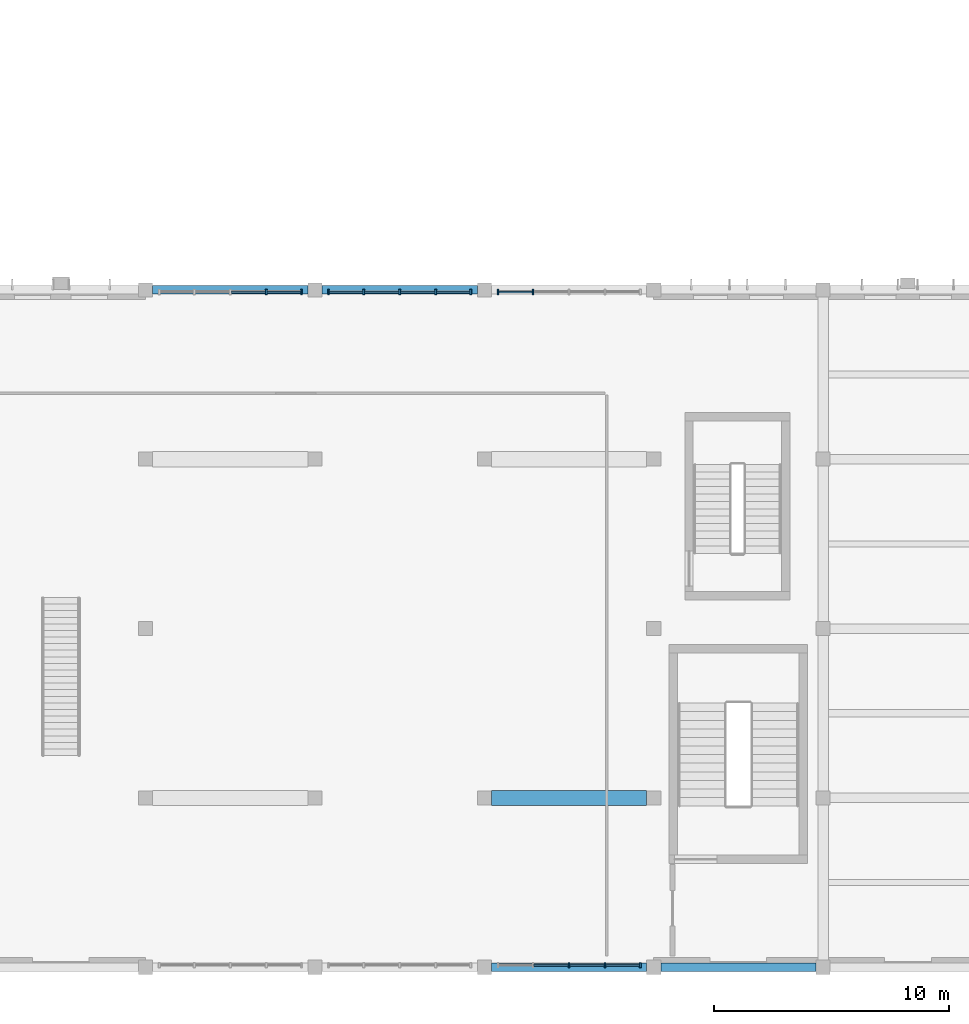
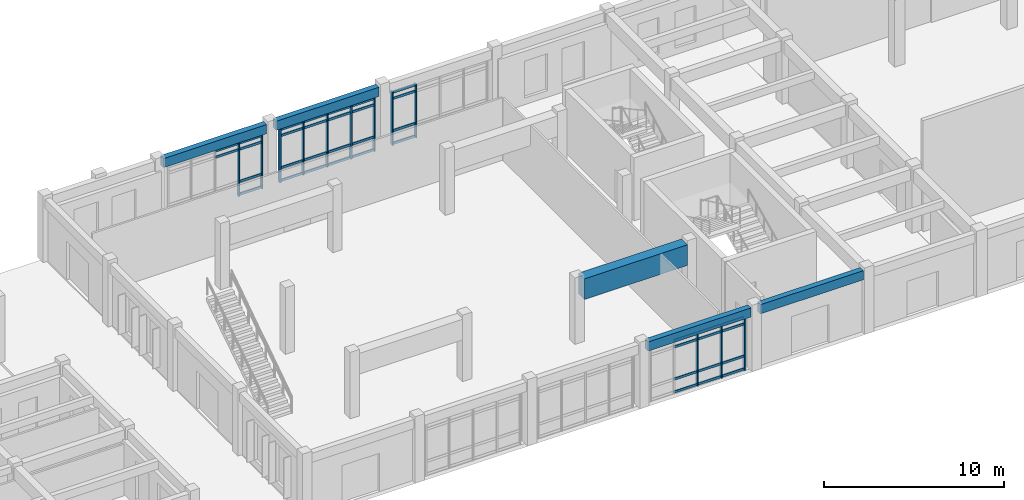
# One storey, part 12 of 43: 50 members, 5 beams, 4 elements without a shape of their own.
"""IFC4 building model written with IfcOpenShell, lengths in metres."""

from ifc_helpers import new_model, si_unit, direction, frame, origin, origin_2d, place, context, subcontext, project, spatial, rectangle, extrude, material, material_profile, profile_set, type_object, element, aggregate, save


model = new_model("IFC4")

# Units and contexts
model_context = context("Model", 3, precision=1e-05, world=origin(), true_north=direction((0.0, 1.0)))
body_context = subcontext(model_context, "Body", "Model", "MODEL_VIEW")
ifc_project = project(units=[si_unit("LENGTHUNIT", "METRE"), si_unit("AREAUNIT", "SQUARE_METRE"), si_unit("VOLUMEUNIT", "CUBIC_METRE"), si_unit("PLANEANGLEUNIT", "RADIAN"), si_unit("MASSUNIT", "GRAM", prefix="KILO")], contexts=[model_context])

# Site, building, storey
site_placement = place(None, origin())
site = spatial("IfcSite", under=ifc_project, at=site_placement, CompositionType="ELEMENT")
building_placement = place(site_placement, origin())
building = spatial("IfcBuilding", under=site, at=building_placement, Name="Alvorim Cloister Faculty of Sciences", CompositionType="ELEMENT")
storey_placement = place(building_placement, origin())
storey = spatial("IfcBuildingStorey", under=building, at=storey_placement, Name="L00", CompositionType="ELEMENT", Elevation=0.0)

# Beams
ifc_material_1 = material(Name="Concrete C40", Category="concrete")
ifc_material_profile_1 = material_profile(ifc_material_1, rectangle(XDim=0.35009765625, YDim=0.6201171875, at=origin_2d()), Name="RC40-SPD-350x620")
ifc_profile_set_1 = profile_set([ifc_material_profile_1], Name="Concrete C40")
beam_type_1 = type_object("IfcBeamType", Name="BM-SPD-RC-350x620", PredefinedType="SPANDREL", material=ifc_profile_set_1)
beam_1_placement = place(storey_placement, frame((93.89990234375, 0.0, 3.93994140625), z_axis=(1.0, 0.0, 0.0), x_axis=(0.0, 1.0, 0.0)))
element("IfcBeam", 1, at=beam_1_placement, inside=storey, type_object=beam_type_1, Name="L00 Primary Beam BM-0601", PredefinedType="SPANDREL", context=body_context, shape_type="SweptSolid", body=[
    extrude(rectangle(XDim=0.35009765625, YDim=0.6201171875, at=origin_2d()), origin(), (0.0, 0.0, 1.0), 6.60009765625),
])
beam_2_placement = place(storey_placement, frame((101.10009765625, 0.0, 3.93994140625), z_axis=(1.0, 0.0, 0.0), x_axis=(0.0, 1.0, 0.0)))
element("IfcBeam", 2, at=beam_2_placement, inside=storey, type_object=beam_type_1, Name="L00 Primary Beam BM-0602", PredefinedType="SPANDREL", context=body_context, shape_type="SweptSolid", body=[
    extrude(rectangle(XDim=0.35009765625, YDim=0.6201171875, at=origin_2d()), origin(), (0.0, 0.0, 1.0), 6.599853515625),
])
for number, where, z_axis, x_axis, name in (
    (3, (79.5, 28.800048828125, 3.93994140625), (1.0, 0.0, 0.0), (0.0, 1.0, 0.0), "L00 Primary Beam BM-0636"),
    (4, (86.699951171875, 28.800048828125, 3.93994140625), (1.0, 0.0, 0.0), (0.0, 1.0, 0.0), "L00 Primary Beam BM-0637"),
):
    element("IfcBeam", number, at=place(storey_placement, frame(where, z_axis=z_axis, x_axis=x_axis)), inside=storey, type_object=beam_type_1, Name=name, PredefinedType="SPANDREL", context=body_context, shape_type="SweptSolid", body=[
        extrude(rectangle(XDim=0.35009765625, YDim=0.6201171875, at=origin_2d()), origin(), (0.0, 0.0, 1.0), 6.60009765625),
    ])
ifc_material_2 = material(Name="Concrete C45", Category="concrete")
ifc_material_profile_2 = material_profile(ifc_material_2, rectangle(XDim=0.64990234375, YDim=1.39990234375, at=origin_2d()), Name="RC45-TG-650x1400")
ifc_profile_set_2 = profile_set([ifc_material_profile_2], Name="Concrete C45")
beam_type_2 = type_object("IfcBeamType", Name="BM-TG-650x1400", PredefinedType="USERDEFINED", material=ifc_profile_set_2)
beam_3_placement = place(storey_placement, frame((93.89990234375, 7.199951171875, 3.550048828125), z_axis=(1.0, 0.0, 0.0), x_axis=(0.0, 1.0, 0.0)))
element("IfcBeam", 5, at=beam_3_placement, inside=storey, type_object=beam_type_2, Name="L00 Atrium Portal Transfer Girder BM-0231", ObjectType="TRANSFER GIRDER", PredefinedType="USERDEFINED", context=body_context, shape_type="SweptSolid", body=[
    extrude(rectangle(XDim=0.64990234375, YDim=1.39990234375, at=origin_2d()), origin(), (0.0, 0.0, 1.0), 6.60009765625),
])

# Curtain wall, members
ifc_material_3 = material(Name="Aluminium and Low-E Glass Curtain Wall", Category="aluminium")
curtain_wall_type = type_object("IfcCurtainWallType", Name="CW-GLZ-6120x3630", PredefinedType="USERDEFINED", material=ifc_material_3)
curtain_wall_1_placement = place(storey_placement, origin())
curtain_wall_1 = element("IfcCurtainWall", 6, at=curtain_wall_1_placement, inside=storey, type_object=curtain_wall_type, Name="L00 Entrance and Atrium Glazed Curtain Wall CW-0001", ObjectType="UNITISED CURTAIN WALL", PredefinedType="USERDEFINED")
ifc_material_4 = material(Name="Aluminium Alloy 6063-T6", Category="aluminium")
ifc_material_profile_3 = material_profile(ifc_material_4, rectangle(XDim=0.074951171875, YDim=0.219970703125, at=origin_2d()), Name="ALU-MUL-75x220")
ifc_profile_set_3 = profile_set([ifc_material_profile_3], Name="Aluminium Alloy 6063-T6")
member_type_1 = type_object("IfcMemberType", Name="CW-MUL-75x220", PredefinedType="MULLION", material=ifc_profile_set_3)
member_1_placement = place(storey_placement, frame((97.199951171875, 0.090087890625, 0.0), z_axis=(0.0, 0.0, 1.0), x_axis=(1.0, 0.0, 0.0)))
member_1 = element("IfcMember", 7, at=member_1_placement, type_object=member_type_1, Name="CW-01 mullion 3", PredefinedType="MULLION", context=body_context, shape_type="SweptSolid", body=[
    extrude(rectangle(XDim=0.074951171875, YDim=0.219970703125, at=origin_2d()), origin(), (0.0, 0.0, 1.0), 3.6298828125),
])
member_2_placement = place(storey_placement, frame((98.72998046875, 0.090087890625, 0.0), z_axis=(0.0, 0.0, 1.0), x_axis=(1.0, 0.0, 0.0)))
member_2 = element("IfcMember", 8, at=member_2_placement, type_object=member_type_1, Name="CW-01 mullion 4", PredefinedType="MULLION", context=body_context, shape_type="SweptSolid", body=[
    extrude(rectangle(XDim=0.074951171875, YDim=0.219970703125, at=origin_2d()), origin(), (0.0, 0.0, 1.0), 3.6298828125),
])
member_3_placement = place(storey_placement, frame((100.222412109375, 0.090087890625, 0.0), z_axis=(0.0, 0.0, 1.0), x_axis=(1.0, 0.0, 0.0)))
member_3 = element("IfcMember", 9, at=member_3_placement, type_object=member_type_1, Name="CW-01 mullion 5", PredefinedType="MULLION", context=body_context, shape_type="SweptSolid", body=[
    extrude(rectangle(XDim=0.074951171875, YDim=0.219970703125, at=origin_2d()), origin(), (0.0, 0.0, 1.0), 3.6298828125),
])

curtain_wall_2_placement = place(storey_placement, origin())
curtain_wall_2 = element("IfcCurtainWall", 10, at=curtain_wall_2_placement, inside=storey, type_object=curtain_wall_type, Name="L00 Entrance and Atrium Glazed Curtain Wall CW-0004", ObjectType="UNITISED CURTAIN WALL", PredefinedType="USERDEFINED")
member_4_placement = place(storey_placement, frame((84.330078125, 28.7099609375, 0.0), z_axis=(0.0, 0.0, 1.0), x_axis=(1.0, 0.0, 0.0)))
member_4 = element("IfcMember", 11, at=member_4_placement, type_object=member_type_1, Name="CW-01 mullion 4", PredefinedType="MULLION", context=body_context, shape_type="SweptSolid", body=[
    extrude(rectangle(XDim=0.074951171875, YDim=0.219970703125, at=origin_2d()), origin(), (0.0, 0.0, 1.0), 3.6298828125),
])
member_5_placement = place(storey_placement, frame((85.822509765625, 28.7099609375, 0.0), z_axis=(0.0, 0.0, 1.0), x_axis=(1.0, 0.0, 0.0)))
member_5 = element("IfcMember", 12, at=member_5_placement, type_object=member_type_1, Name="CW-01 mullion 5", PredefinedType="MULLION", context=body_context, shape_type="SweptSolid", body=[
    extrude(rectangle(XDim=0.074951171875, YDim=0.219970703125, at=origin_2d()), origin(), (0.0, 0.0, 1.0), 3.6298828125),
])

curtain_wall_3_placement = place(storey_placement, origin())
curtain_wall_3 = element("IfcCurtainWall", 13, at=curtain_wall_3_placement, inside=storey, type_object=curtain_wall_type, Name="L00 Entrance and Atrium Glazed Curtain Wall CW-0005", ObjectType="UNITISED CURTAIN WALL", PredefinedType="USERDEFINED")
member_6_placement = place(storey_placement, frame((86.9775390625, 28.7099609375, 0.0), z_axis=(0.0, 0.0, 1.0), x_axis=(1.0, 0.0, 0.0)))
member_6 = element("IfcMember", 14, at=member_6_placement, type_object=member_type_1, Name="CW-01 mullion 1", PredefinedType="MULLION", context=body_context, shape_type="SweptSolid", body=[
    extrude(rectangle(XDim=0.074951171875, YDim=0.219970703125, at=origin_2d()), origin(), (0.0, 0.0, 1.0), 3.6298828125),
])
member_7_placement = place(storey_placement, frame((88.469970703125, 28.7099609375, 0.0), z_axis=(0.0, 0.0, 1.0), x_axis=(1.0, 0.0, 0.0)))
member_7 = element("IfcMember", 15, at=member_7_placement, type_object=member_type_1, Name="CW-01 mullion 2", PredefinedType="MULLION", context=body_context, shape_type="SweptSolid", body=[
    extrude(rectangle(XDim=0.074951171875, YDim=0.219970703125, at=origin_2d()), origin(), (0.0, 0.0, 1.0), 3.6298828125),
])
member_8_placement = place(storey_placement, frame((90.0, 28.7099609375, 0.0), z_axis=(0.0, 0.0, 1.0), x_axis=(1.0, 0.0, 0.0)))
member_8 = element("IfcMember", 16, at=member_8_placement, type_object=member_type_1, Name="CW-01 mullion 3", PredefinedType="MULLION", context=body_context, shape_type="SweptSolid", body=[
    extrude(rectangle(XDim=0.074951171875, YDim=0.219970703125, at=origin_2d()), origin(), (0.0, 0.0, 1.0), 3.6298828125),
])
member_9_placement = place(storey_placement, frame((91.530029296875, 28.7099609375, 0.0), z_axis=(0.0, 0.0, 1.0), x_axis=(1.0, 0.0, 0.0)))
member_9 = element("IfcMember", 17, at=member_9_placement, type_object=member_type_1, Name="CW-01 mullion 4", PredefinedType="MULLION", context=body_context, shape_type="SweptSolid", body=[
    extrude(rectangle(XDim=0.074951171875, YDim=0.219970703125, at=origin_2d()), origin(), (0.0, 0.0, 1.0), 3.6298828125),
])
member_10_placement = place(storey_placement, frame((93.0224609375, 28.7099609375, 0.0), z_axis=(0.0, 0.0, 1.0), x_axis=(1.0, 0.0, 0.0)))
member_10 = element("IfcMember", 18, at=member_10_placement, type_object=member_type_1, Name="CW-01 mullion 5", PredefinedType="MULLION", context=body_context, shape_type="SweptSolid", body=[
    extrude(rectangle(XDim=0.074951171875, YDim=0.219970703125, at=origin_2d()), origin(), (0.0, 0.0, 1.0), 3.6298828125),
])

curtain_wall_4_placement = place(storey_placement, origin())
curtain_wall_4 = element("IfcCurtainWall", 19, at=curtain_wall_4_placement, inside=storey, type_object=curtain_wall_type, Name="L00 Entrance and Atrium Glazed Curtain Wall CW-0006", ObjectType="UNITISED CURTAIN WALL", PredefinedType="USERDEFINED")
member_11_placement = place(storey_placement, frame((94.177490234375, 28.7099609375, 0.0), z_axis=(0.0, 0.0, 1.0), x_axis=(1.0, 0.0, 0.0)))
member_11 = element("IfcMember", 20, at=member_11_placement, type_object=member_type_1, Name="CW-01 mullion 1", PredefinedType="MULLION", context=body_context, shape_type="SweptSolid", body=[
    extrude(rectangle(XDim=0.074951171875, YDim=0.219970703125, at=origin_2d()), origin(), (0.0, 0.0, 1.0), 3.6298828125),
])
member_12_placement = place(storey_placement, frame((95.669921875, 28.7099609375, 0.0), z_axis=(0.0, 0.0, 1.0), x_axis=(1.0, 0.0, 0.0)))
member_12 = element("IfcMember", 21, at=member_12_placement, type_object=member_type_1, Name="CW-01 mullion 2", PredefinedType="MULLION", context=body_context, shape_type="SweptSolid", body=[
    extrude(rectangle(XDim=0.074951171875, YDim=0.219970703125, at=origin_2d()), origin(), (0.0, 0.0, 1.0), 3.6298828125),
])

# Member
ifc_material_profile_4 = material_profile(ifc_material_4, rectangle(XDim=0.074951171875, YDim=0.159912109375, at=origin_2d()), Name="ALU-TRN-75x160")
ifc_profile_set_4 = profile_set([ifc_material_profile_4], Name="Aluminium Alloy 6063-T6")
member_type_2 = type_object("IfcMemberType", Name="CW-TRN-75x160", PredefinedType="USERDEFINED", material=ifc_profile_set_4)
member_13_placement = place(storey_placement, frame((95.70751953125, 0.090087890625, 0.080078125), z_axis=(1.0, 0.0, 0.0), x_axis=(0.0, 1.0, 0.0)))
member_13 = element("IfcMember", 22, at=member_13_placement, type_object=member_type_2, Name="CW-01 transom 2.1", ObjectType="TRANSOM", PredefinedType="USERDEFINED", context=body_context, shape_type="SweptSolid", body=[
    extrude(rectangle(XDim=0.074951171875, YDim=0.159912109375, at=origin_2d()), origin(), (0.0, 0.0, 1.0), 1.455078125),
])

member_14_placement = place(storey_placement, frame((95.70751953125, 0.090087890625, 0.949951171875), z_axis=(1.0, 0.0, 0.0), x_axis=(0.0, 1.0, 0.0)))
member_14 = element("IfcMember", 23, at=member_14_placement, type_object=member_type_2, Name="CW-01 transom 2.2", ObjectType="TRANSOM", PredefinedType="USERDEFINED", context=body_context, shape_type="SweptSolid", body=[
    extrude(rectangle(XDim=0.074951171875, YDim=0.159912109375, at=origin_2d()), origin(), (0.0, 0.0, 1.0), 1.455078125),
])

member_15_placement = place(storey_placement, frame((95.70751953125, 0.090087890625, 3.1298828125), z_axis=(1.0, 0.0, 0.0), x_axis=(0.0, 1.0, 0.0)))
member_15 = element("IfcMember", 24, at=member_15_placement, type_object=member_type_2, Name="CW-01 transom 2.3", ObjectType="TRANSOM", PredefinedType="USERDEFINED", context=body_context, shape_type="SweptSolid", body=[
    extrude(rectangle(XDim=0.074951171875, YDim=0.159912109375, at=origin_2d()), origin(), (0.0, 0.0, 1.0), 1.455078125),
])

member_16_placement = place(storey_placement, frame((95.70751953125, 0.090087890625, 3.550048828125), z_axis=(1.0, 0.0, 0.0), x_axis=(0.0, 1.0, 0.0)))
member_16 = element("IfcMember", 25, at=member_16_placement, type_object=member_type_2, Name="CW-01 transom 2.4", ObjectType="TRANSOM", PredefinedType="USERDEFINED", context=body_context, shape_type="SweptSolid", body=[
    extrude(rectangle(XDim=0.074951171875, YDim=0.159912109375, at=origin_2d()), origin(), (0.0, 0.0, 1.0), 1.455078125),
])

member_17_placement = place(storey_placement, frame((97.237548828125, 0.090087890625, 0.080078125), z_axis=(1.0, 0.0, 0.0), x_axis=(0.0, 1.0, 0.0)))
member_17 = element("IfcMember", 26, at=member_17_placement, type_object=member_type_2, Name="CW-01 transom 3.1", ObjectType="TRANSOM", PredefinedType="USERDEFINED", context=body_context, shape_type="SweptSolid", body=[
    extrude(rectangle(XDim=0.074951171875, YDim=0.159912109375, at=origin_2d()), origin(), (0.0, 0.0, 1.0), 1.454833984375),
])

member_18_placement = place(storey_placement, frame((97.237548828125, 0.090087890625, 0.949951171875), z_axis=(1.0, 0.0, 0.0), x_axis=(0.0, 1.0, 0.0)))
member_18 = element("IfcMember", 27, at=member_18_placement, type_object=member_type_2, Name="CW-01 transom 3.2", ObjectType="TRANSOM", PredefinedType="USERDEFINED", context=body_context, shape_type="SweptSolid", body=[
    extrude(rectangle(XDim=0.074951171875, YDim=0.159912109375, at=origin_2d()), origin(), (0.0, 0.0, 1.0), 1.454833984375),
])

member_19_placement = place(storey_placement, frame((97.237548828125, 0.090087890625, 3.1298828125), z_axis=(1.0, 0.0, 0.0), x_axis=(0.0, 1.0, 0.0)))
member_19 = element("IfcMember", 28, at=member_19_placement, type_object=member_type_2, Name="CW-01 transom 3.3", ObjectType="TRANSOM", PredefinedType="USERDEFINED", context=body_context, shape_type="SweptSolid", body=[
    extrude(rectangle(XDim=0.074951171875, YDim=0.159912109375, at=origin_2d()), origin(), (0.0, 0.0, 1.0), 1.454833984375),
])

member_20_placement = place(storey_placement, frame((97.237548828125, 0.090087890625, 3.550048828125), z_axis=(1.0, 0.0, 0.0), x_axis=(0.0, 1.0, 0.0)))
member_20 = element("IfcMember", 29, at=member_20_placement, type_object=member_type_2, Name="CW-01 transom 3.4", ObjectType="TRANSOM", PredefinedType="USERDEFINED", context=body_context, shape_type="SweptSolid", body=[
    extrude(rectangle(XDim=0.074951171875, YDim=0.159912109375, at=origin_2d()), origin(), (0.0, 0.0, 1.0), 1.454833984375),
])

member_21_placement = place(storey_placement, frame((98.767578125, 0.090087890625, 0.080078125), z_axis=(1.0, 0.0, 0.0), x_axis=(0.0, 1.0, 0.0)))
member_21 = element("IfcMember", 30, at=member_21_placement, type_object=member_type_2, Name="CW-01 transom 4.1", ObjectType="TRANSOM", PredefinedType="USERDEFINED", context=body_context, shape_type="SweptSolid", body=[
    extrude(rectangle(XDim=0.074951171875, YDim=0.159912109375, at=origin_2d()), origin(), (0.0, 0.0, 1.0), 1.41748046875),
])

member_22_placement = place(storey_placement, frame((98.767578125, 0.090087890625, 0.949951171875), z_axis=(1.0, 0.0, 0.0), x_axis=(0.0, 1.0, 0.0)))
member_22 = element("IfcMember", 31, at=member_22_placement, type_object=member_type_2, Name="CW-01 transom 4.2", ObjectType="TRANSOM", PredefinedType="USERDEFINED", context=body_context, shape_type="SweptSolid", body=[
    extrude(rectangle(XDim=0.074951171875, YDim=0.159912109375, at=origin_2d()), origin(), (0.0, 0.0, 1.0), 1.41748046875),
])

member_23_placement = place(storey_placement, frame((98.767578125, 0.090087890625, 3.1298828125), z_axis=(1.0, 0.0, 0.0), x_axis=(0.0, 1.0, 0.0)))
member_23 = element("IfcMember", 32, at=member_23_placement, type_object=member_type_2, Name="CW-01 transom 4.3", ObjectType="TRANSOM", PredefinedType="USERDEFINED", context=body_context, shape_type="SweptSolid", body=[
    extrude(rectangle(XDim=0.074951171875, YDim=0.159912109375, at=origin_2d()), origin(), (0.0, 0.0, 1.0), 1.41748046875),
])

member_24_placement = place(storey_placement, frame((98.767578125, 0.090087890625, 3.550048828125), z_axis=(1.0, 0.0, 0.0), x_axis=(0.0, 1.0, 0.0)))
member_24 = element("IfcMember", 33, at=member_24_placement, type_object=member_type_2, Name="CW-01 transom 4.4", ObjectType="TRANSOM", PredefinedType="USERDEFINED", context=body_context, shape_type="SweptSolid", body=[
    extrude(rectangle(XDim=0.074951171875, YDim=0.159912109375, at=origin_2d()), origin(), (0.0, 0.0, 1.0), 1.41748046875),
])

aggregate(curtain_wall_1, [member_1, member_2, member_3, member_13, member_14, member_15, member_16, member_17, member_18, member_19, member_20, member_21, member_22, member_23, member_24])

member_25_placement = place(storey_placement, frame((82.83740234375, 28.7099609375, 3.1298828125), z_axis=(1.0, 0.0, 0.0), x_axis=(0.0, 1.0, 0.0)))
member_25 = element("IfcMember", 34, at=member_25_placement, type_object=member_type_2, Name="CW-01 transom 3.3", ObjectType="TRANSOM", PredefinedType="USERDEFINED", context=body_context, shape_type="SweptSolid", body=[
    extrude(rectangle(XDim=0.074951171875, YDim=0.159912109375, at=origin_2d()), origin(), (0.0, 0.0, 1.0), 1.455078125),
])

member_26_placement = place(storey_placement, frame((82.83740234375, 28.7099609375, 3.550048828125), z_axis=(1.0, 0.0, 0.0), x_axis=(0.0, 1.0, 0.0)))
member_26 = element("IfcMember", 35, at=member_26_placement, type_object=member_type_2, Name="CW-01 transom 3.4", ObjectType="TRANSOM", PredefinedType="USERDEFINED", context=body_context, shape_type="SweptSolid", body=[
    extrude(rectangle(XDim=0.074951171875, YDim=0.159912109375, at=origin_2d()), origin(), (0.0, 0.0, 1.0), 1.455078125),
])

member_27_placement = place(storey_placement, frame((84.367431640625, 28.7099609375, 0.080078125), z_axis=(1.0, 0.0, 0.0), x_axis=(0.0, 1.0, 0.0)))
member_27 = element("IfcMember", 36, at=member_27_placement, type_object=member_type_2, Name="CW-01 transom 4.1", ObjectType="TRANSOM", PredefinedType="USERDEFINED", context=body_context, shape_type="SweptSolid", body=[
    extrude(rectangle(XDim=0.074951171875, YDim=0.159912109375, at=origin_2d()), origin(), (0.0, 0.0, 1.0), 1.41748046875),
])

member_28_placement = place(storey_placement, frame((84.367431640625, 28.7099609375, 0.949951171875), z_axis=(1.0, 0.0, 0.0), x_axis=(0.0, 1.0, 0.0)))
member_28 = element("IfcMember", 37, at=member_28_placement, type_object=member_type_2, Name="CW-01 transom 4.2", ObjectType="TRANSOM", PredefinedType="USERDEFINED", context=body_context, shape_type="SweptSolid", body=[
    extrude(rectangle(XDim=0.074951171875, YDim=0.159912109375, at=origin_2d()), origin(), (0.0, 0.0, 1.0), 1.41748046875),
])

member_29_placement = place(storey_placement, frame((84.367431640625, 28.7099609375, 3.1298828125), z_axis=(1.0, 0.0, 0.0), x_axis=(0.0, 1.0, 0.0)))
member_29 = element("IfcMember", 38, at=member_29_placement, type_object=member_type_2, Name="CW-01 transom 4.3", ObjectType="TRANSOM", PredefinedType="USERDEFINED", context=body_context, shape_type="SweptSolid", body=[
    extrude(rectangle(XDim=0.074951171875, YDim=0.159912109375, at=origin_2d()), origin(), (0.0, 0.0, 1.0), 1.41748046875),
])

member_30_placement = place(storey_placement, frame((84.367431640625, 28.7099609375, 3.550048828125), z_axis=(1.0, 0.0, 0.0), x_axis=(0.0, 1.0, 0.0)))
member_30 = element("IfcMember", 39, at=member_30_placement, type_object=member_type_2, Name="CW-01 transom 4.4", ObjectType="TRANSOM", PredefinedType="USERDEFINED", context=body_context, shape_type="SweptSolid", body=[
    extrude(rectangle(XDim=0.074951171875, YDim=0.159912109375, at=origin_2d()), origin(), (0.0, 0.0, 1.0), 1.41748046875),
])

aggregate(curtain_wall_2, [member_4, member_5, member_25, member_26, member_27, member_28, member_29, member_30])

member_31_placement = place(storey_placement, frame((87.014892578125, 28.7099609375, 0.080078125), z_axis=(1.0, 0.0, 0.0), x_axis=(0.0, 1.0, 0.0)))
member_31 = element("IfcMember", 40, at=member_31_placement, type_object=member_type_2, Name="CW-01 transom 1.1", ObjectType="TRANSOM", PredefinedType="USERDEFINED", context=body_context, shape_type="SweptSolid", body=[
    extrude(rectangle(XDim=0.074951171875, YDim=0.159912109375, at=origin_2d()), origin(), (0.0, 0.0, 1.0), 1.417724609375),
])

member_32_placement = place(storey_placement, frame((87.014892578125, 28.7099609375, 0.949951171875), z_axis=(1.0, 0.0, 0.0), x_axis=(0.0, 1.0, 0.0)))
member_32 = element("IfcMember", 41, at=member_32_placement, type_object=member_type_2, Name="CW-01 transom 1.2", ObjectType="TRANSOM", PredefinedType="USERDEFINED", context=body_context, shape_type="SweptSolid", body=[
    extrude(rectangle(XDim=0.074951171875, YDim=0.159912109375, at=origin_2d()), origin(), (0.0, 0.0, 1.0), 1.417724609375),
])

member_33_placement = place(storey_placement, frame((87.014892578125, 28.7099609375, 3.1298828125), z_axis=(1.0, 0.0, 0.0), x_axis=(0.0, 1.0, 0.0)))
member_33 = element("IfcMember", 42, at=member_33_placement, type_object=member_type_2, Name="CW-01 transom 1.3", ObjectType="TRANSOM", PredefinedType="USERDEFINED", context=body_context, shape_type="SweptSolid", body=[
    extrude(rectangle(XDim=0.074951171875, YDim=0.159912109375, at=origin_2d()), origin(), (0.0, 0.0, 1.0), 1.417724609375),
])

member_34_placement = place(storey_placement, frame((87.014892578125, 28.7099609375, 3.550048828125), z_axis=(1.0, 0.0, 0.0), x_axis=(0.0, 1.0, 0.0)))
member_34 = element("IfcMember", 43, at=member_34_placement, type_object=member_type_2, Name="CW-01 transom 1.4", ObjectType="TRANSOM", PredefinedType="USERDEFINED", context=body_context, shape_type="SweptSolid", body=[
    extrude(rectangle(XDim=0.074951171875, YDim=0.159912109375, at=origin_2d()), origin(), (0.0, 0.0, 1.0), 1.417724609375),
])

member_35_placement = place(storey_placement, frame((88.507568359375, 28.7099609375, 0.080078125), z_axis=(1.0, 0.0, 0.0), x_axis=(0.0, 1.0, 0.0)))
member_35 = element("IfcMember", 44, at=member_35_placement, type_object=member_type_2, Name="CW-01 transom 2.1", ObjectType="TRANSOM", PredefinedType="USERDEFINED", context=body_context, shape_type="SweptSolid", body=[
    extrude(rectangle(XDim=0.074951171875, YDim=0.159912109375, at=origin_2d()), origin(), (0.0, 0.0, 1.0), 1.454833984375),
])

member_36_placement = place(storey_placement, frame((88.507568359375, 28.7099609375, 0.949951171875), z_axis=(1.0, 0.0, 0.0), x_axis=(0.0, 1.0, 0.0)))
member_36 = element("IfcMember", 45, at=member_36_placement, type_object=member_type_2, Name="CW-01 transom 2.2", ObjectType="TRANSOM", PredefinedType="USERDEFINED", context=body_context, shape_type="SweptSolid", body=[
    extrude(rectangle(XDim=0.074951171875, YDim=0.159912109375, at=origin_2d()), origin(), (0.0, 0.0, 1.0), 1.454833984375),
])

member_37_placement = place(storey_placement, frame((88.507568359375, 28.7099609375, 3.1298828125), z_axis=(1.0, 0.0, 0.0), x_axis=(0.0, 1.0, 0.0)))
member_37 = element("IfcMember", 46, at=member_37_placement, type_object=member_type_2, Name="CW-01 transom 2.3", ObjectType="TRANSOM", PredefinedType="USERDEFINED", context=body_context, shape_type="SweptSolid", body=[
    extrude(rectangle(XDim=0.074951171875, YDim=0.159912109375, at=origin_2d()), origin(), (0.0, 0.0, 1.0), 1.454833984375),
])

member_38_placement = place(storey_placement, frame((88.507568359375, 28.7099609375, 3.550048828125), z_axis=(1.0, 0.0, 0.0), x_axis=(0.0, 1.0, 0.0)))
member_38 = element("IfcMember", 47, at=member_38_placement, type_object=member_type_2, Name="CW-01 transom 2.4", ObjectType="TRANSOM", PredefinedType="USERDEFINED", context=body_context, shape_type="SweptSolid", body=[
    extrude(rectangle(XDim=0.074951171875, YDim=0.159912109375, at=origin_2d()), origin(), (0.0, 0.0, 1.0), 1.454833984375),
])

member_39_placement = place(storey_placement, frame((90.03759765625, 28.7099609375, 0.080078125), z_axis=(1.0, 0.0, 0.0), x_axis=(0.0, 1.0, 0.0)))
member_39 = element("IfcMember", 48, at=member_39_placement, type_object=member_type_2, Name="CW-01 transom 3.1", ObjectType="TRANSOM", PredefinedType="USERDEFINED", context=body_context, shape_type="SweptSolid", body=[
    extrude(rectangle(XDim=0.074951171875, YDim=0.159912109375, at=origin_2d()), origin(), (0.0, 0.0, 1.0), 1.454833984375),
])

member_40_placement = place(storey_placement, frame((90.03759765625, 28.7099609375, 0.949951171875), z_axis=(1.0, 0.0, 0.0), x_axis=(0.0, 1.0, 0.0)))
member_40 = element("IfcMember", 49, at=member_40_placement, type_object=member_type_2, Name="CW-01 transom 3.2", ObjectType="TRANSOM", PredefinedType="USERDEFINED", context=body_context, shape_type="SweptSolid", body=[
    extrude(rectangle(XDim=0.074951171875, YDim=0.159912109375, at=origin_2d()), origin(), (0.0, 0.0, 1.0), 1.454833984375),
])

member_41_placement = place(storey_placement, frame((90.03759765625, 28.7099609375, 3.1298828125), z_axis=(1.0, 0.0, 0.0), x_axis=(0.0, 1.0, 0.0)))
member_41 = element("IfcMember", 50, at=member_41_placement, type_object=member_type_2, Name="CW-01 transom 3.3", ObjectType="TRANSOM", PredefinedType="USERDEFINED", context=body_context, shape_type="SweptSolid", body=[
    extrude(rectangle(XDim=0.074951171875, YDim=0.159912109375, at=origin_2d()), origin(), (0.0, 0.0, 1.0), 1.454833984375),
])

member_42_placement = place(storey_placement, frame((90.03759765625, 28.7099609375, 3.550048828125), z_axis=(1.0, 0.0, 0.0), x_axis=(0.0, 1.0, 0.0)))
member_42 = element("IfcMember", 51, at=member_42_placement, type_object=member_type_2, Name="CW-01 transom 3.4", ObjectType="TRANSOM", PredefinedType="USERDEFINED", context=body_context, shape_type="SweptSolid", body=[
    extrude(rectangle(XDim=0.074951171875, YDim=0.159912109375, at=origin_2d()), origin(), (0.0, 0.0, 1.0), 1.454833984375),
])

member_43_placement = place(storey_placement, frame((91.5673828125, 28.7099609375, 0.080078125), z_axis=(1.0, 0.0, 0.0), x_axis=(0.0, 1.0, 0.0)))
member_43 = element("IfcMember", 52, at=member_43_placement, type_object=member_type_2, Name="CW-01 transom 4.1", ObjectType="TRANSOM", PredefinedType="USERDEFINED", context=body_context, shape_type="SweptSolid", body=[
    extrude(rectangle(XDim=0.074951171875, YDim=0.159912109375, at=origin_2d()), origin(), (0.0, 0.0, 1.0), 1.417724609375),
])

member_44_placement = place(storey_placement, frame((91.5673828125, 28.7099609375, 0.949951171875), z_axis=(1.0, 0.0, 0.0), x_axis=(0.0, 1.0, 0.0)))
member_44 = element("IfcMember", 53, at=member_44_placement, type_object=member_type_2, Name="CW-01 transom 4.2", ObjectType="TRANSOM", PredefinedType="USERDEFINED", context=body_context, shape_type="SweptSolid", body=[
    extrude(rectangle(XDim=0.074951171875, YDim=0.159912109375, at=origin_2d()), origin(), (0.0, 0.0, 1.0), 1.417724609375),
])

member_45_placement = place(storey_placement, frame((91.5673828125, 28.7099609375, 3.1298828125), z_axis=(1.0, 0.0, 0.0), x_axis=(0.0, 1.0, 0.0)))
member_45 = element("IfcMember", 54, at=member_45_placement, type_object=member_type_2, Name="CW-01 transom 4.3", ObjectType="TRANSOM", PredefinedType="USERDEFINED", context=body_context, shape_type="SweptSolid", body=[
    extrude(rectangle(XDim=0.074951171875, YDim=0.159912109375, at=origin_2d()), origin(), (0.0, 0.0, 1.0), 1.417724609375),
])

member_46_placement = place(storey_placement, frame((91.5673828125, 28.7099609375, 3.550048828125), z_axis=(1.0, 0.0, 0.0), x_axis=(0.0, 1.0, 0.0)))
member_46 = element("IfcMember", 55, at=member_46_placement, type_object=member_type_2, Name="CW-01 transom 4.4", ObjectType="TRANSOM", PredefinedType="USERDEFINED", context=body_context, shape_type="SweptSolid", body=[
    extrude(rectangle(XDim=0.074951171875, YDim=0.159912109375, at=origin_2d()), origin(), (0.0, 0.0, 1.0), 1.417724609375),
])

aggregate(curtain_wall_3, [member_6, member_7, member_8, member_9, member_10, member_31, member_32, member_33, member_34, member_35, member_36, member_37, member_38, member_39, member_40, member_41, member_42, member_43, member_44, member_45, member_46])

member_47_placement = place(storey_placement, frame((94.215087890625, 28.7099609375, 0.080078125), z_axis=(1.0, 0.0, 0.0), x_axis=(0.0, 1.0, 0.0)))
member_47 = element("IfcMember", 56, at=member_47_placement, type_object=member_type_2, Name="CW-01 transom 1.1", ObjectType="TRANSOM", PredefinedType="USERDEFINED", context=body_context, shape_type="SweptSolid", body=[
    extrude(rectangle(XDim=0.074951171875, YDim=0.159912109375, at=origin_2d()), origin(), (0.0, 0.0, 1.0), 1.41748046875),
])

member_48_placement = place(storey_placement, frame((94.215087890625, 28.7099609375, 0.949951171875), z_axis=(1.0, 0.0, 0.0), x_axis=(0.0, 1.0, 0.0)))
member_48 = element("IfcMember", 57, at=member_48_placement, type_object=member_type_2, Name="CW-01 transom 1.2", ObjectType="TRANSOM", PredefinedType="USERDEFINED", context=body_context, shape_type="SweptSolid", body=[
    extrude(rectangle(XDim=0.074951171875, YDim=0.159912109375, at=origin_2d()), origin(), (0.0, 0.0, 1.0), 1.41748046875),
])

member_49_placement = place(storey_placement, frame((94.215087890625, 28.7099609375, 3.1298828125), z_axis=(1.0, 0.0, 0.0), x_axis=(0.0, 1.0, 0.0)))
member_49 = element("IfcMember", 58, at=member_49_placement, type_object=member_type_2, Name="CW-01 transom 1.3", ObjectType="TRANSOM", PredefinedType="USERDEFINED", context=body_context, shape_type="SweptSolid", body=[
    extrude(rectangle(XDim=0.074951171875, YDim=0.159912109375, at=origin_2d()), origin(), (0.0, 0.0, 1.0), 1.41748046875),
])

member_50_placement = place(storey_placement, frame((94.215087890625, 28.7099609375, 3.550048828125), z_axis=(1.0, 0.0, 0.0), x_axis=(0.0, 1.0, 0.0)))
member_50 = element("IfcMember", 59, at=member_50_placement, type_object=member_type_2, Name="CW-01 transom 1.4", ObjectType="TRANSOM", PredefinedType="USERDEFINED", context=body_context, shape_type="SweptSolid", body=[
    extrude(rectangle(XDim=0.074951171875, YDim=0.159912109375, at=origin_2d()), origin(), (0.0, 0.0, 1.0), 1.41748046875),
])

aggregate(curtain_wall_4, [member_11, member_12, member_47, member_48, member_49, member_50])

save(model, "model.ifc")
